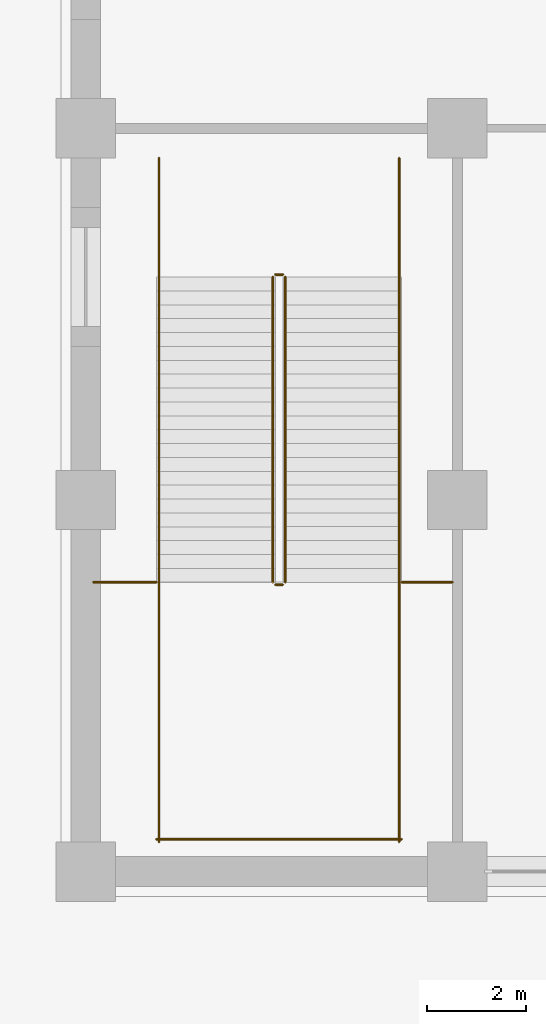
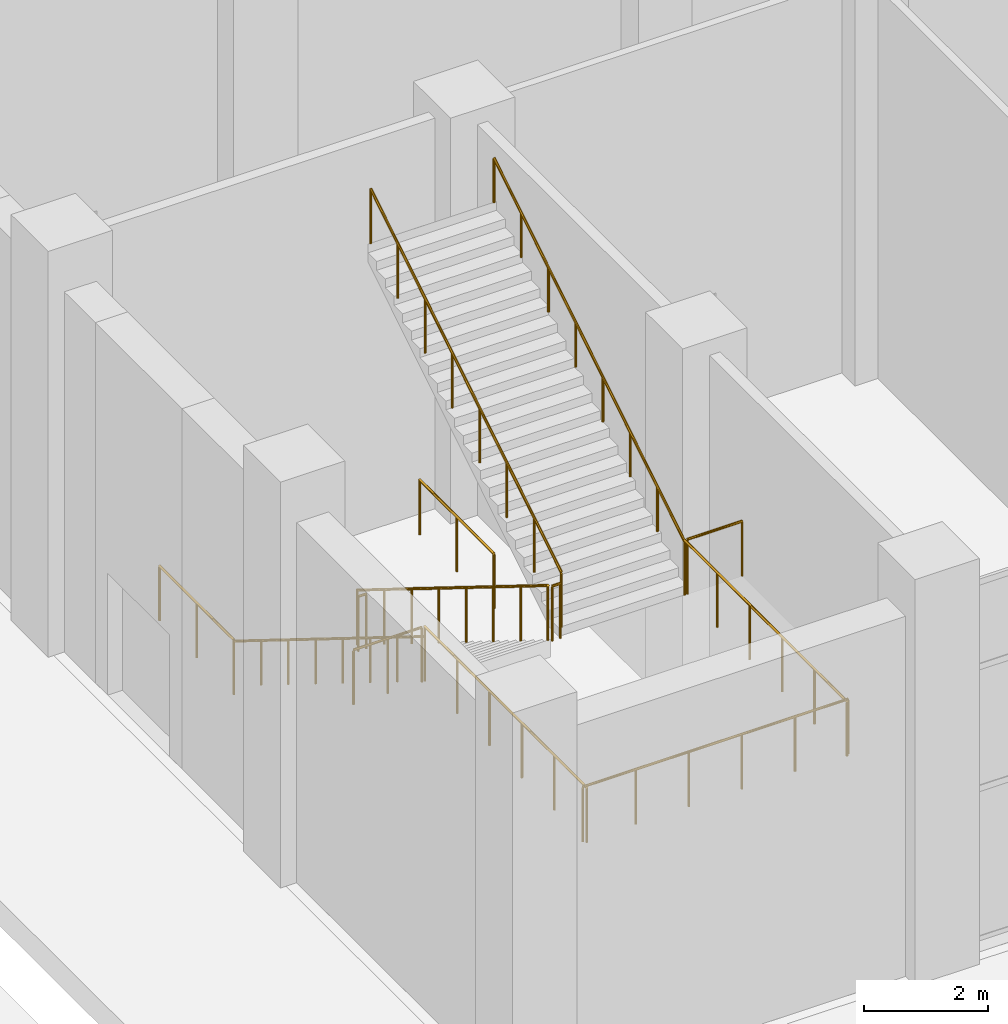
# One storey, part 40 of 57: 13 railings.
"""IFC4 building model written with IfcOpenShell, lengths in metres."""

from ifc_helpers import new_model, si_unit, direction, frame, origin, origin_2d, place, context, subcontext, project, spatial, circle, extrude, material, type_object, element, save


model = new_model("IFC4")

# Units and contexts
model_context = context("Model", 3, precision=1e-05, world=origin(), true_north=direction((0.0, 1.0)))
body_context = subcontext(model_context, "Body", "Model", "MODEL_VIEW")
ifc_project = project(units=[si_unit("LENGTHUNIT", "METRE"), si_unit("AREAUNIT", "SQUARE_METRE"), si_unit("VOLUMEUNIT", "CUBIC_METRE"), si_unit("PLANEANGLEUNIT", "RADIAN"), si_unit("MASSUNIT", "GRAM", prefix="KILO")], contexts=[model_context])

# Site, building, storey
site_placement = place(None, origin())
site = spatial("IfcSite", under=ifc_project, at=site_placement, CompositionType="ELEMENT")
building_placement = place(site_placement, origin())
building = spatial("IfcBuilding", under=site, at=building_placement, Name="Tamorin Gate", CompositionType="ELEMENT")
storey_placement = place(building_placement, origin())
storey = spatial("IfcBuildingStorey", under=building, at=storey_placement, Name="L00", CompositionType="ELEMENT", Elevation=0.0)

# Railings
ifc_material = material(Name="Steel", Category="steel")
railing_type_1 = type_object("IfcRailingType", Name="Podium guard 1100", PredefinedType="GUARDRAIL", material=ifc_material)
railing_1_placement = place(storey_placement, frame((19.27490234375, 42.5, 0.173828125)))
element("IfcRailing", 1, at=railing_1_placement, inside=storey, type_object=railing_type_1, Name="L00 PS1 stair guard 1", PredefinedType="GUARDRAIL", context=body_context, shape_type="SweptSolid", body=[
    extrude(circle(Radius=0.02392578125, at=origin_2d()), frame((0.0, 0.0, 1.076171875), z_axis=(0.0, -0.849468459523, 0.527639399851), x_axis=(1.0, 0.0, 0.0)), (0.0, 0.0, 1.0), 7.25146484375),
    extrude(circle(Radius=0.02099609375, at=origin_2d()), origin(), (0.0, 0.0, 1.0), 1.052001953125),
    extrude(circle(Radius=0.02099609375, at=origin_2d()), frame((0.0, -0.8798828125, 0.546630859375)), (0.0, 0.0, 1.0), 1.052001953125),
    extrude(circle(Radius=0.02099609375, at=origin_2d()), frame((0.0, -1.760009765625, 1.09326171875)), (0.0, 0.0, 1.0), 1.052001953125),
    extrude(circle(Radius=0.02099609375, at=origin_2d()), frame((0.0, -2.639892578125, 1.639892578125)), (0.0, 0.0, 1.0), 1.052001953125),
    extrude(circle(Radius=0.02099609375, at=origin_2d()), frame((0.0, -3.52001953125, 2.186279296875)), (0.0, 0.0, 1.0), 1.052001953125),
    extrude(circle(Radius=0.02099609375, at=origin_2d()), frame((0.0, -4.39990234375, 2.73291015625)), (0.0, 0.0, 1.0), 1.052001953125),
    extrude(circle(Radius=0.02099609375, at=origin_2d()), frame((0.0, -5.280029296875, 3.279541015625)), (0.0, 0.0, 1.0), 1.052001953125),
    extrude(circle(Radius=0.02099609375, at=origin_2d()), frame((0.0, -6.159912109375, 3.826171875)), (0.0, 0.0, 1.0), 1.052001953125),
])
railing_2_placement = place(storey_placement, frame((19.324951171875, 36.2900390625, 4.0)))
element("IfcRailing", 2, at=railing_2_placement, inside=storey, type_object=railing_type_1, Name="L00 PS1 stair guard 2", PredefinedType="GUARDRAIL", context=body_context, shape_type="SweptSolid", body=[
    extrude(circle(Radius=0.02392578125, at=origin_2d()), frame((0.0, 0.0, 1.076171875), z_axis=(1.0, 0.0, 0.0), x_axis=(0.0, 1.0, 0.0)), (0.0, 0.0, 1.0), 0.150146484375),
    extrude(circle(Radius=0.02099609375, at=origin_2d()), origin(), (0.0, 0.0, 1.0), 1.052001953125),
    extrude(circle(Radius=0.02099609375, at=origin_2d()), frame((0.150146484375, 0.0, 0.0)), (0.0, 0.0, 1.0), 1.052001953125),
])
for number, where, name in (
    (3, (16.97509765625, 36.340087890625, 4.0), "L00 PS1 stair guard 3"),
    (4, (21.824951171875, 36.340087890625, 4.0), "L00 PS1 stair guard 4"),
):
    element("IfcRailing", number, at=place(storey_placement, frame(where)), inside=storey, type_object=railing_type_1, Name=name, PredefinedType="GUARDRAIL", context=body_context, shape_type="SweptSolid", body=[
        extrude(circle(Radius=0.02392578125, at=origin_2d()), frame((0.0, 0.0, 1.076171875), z_axis=(0.0, -1.0, 0.0), x_axis=(1.0, 0.0, 0.0)), (0.0, 0.0, 1.0), 5.239990234375),
        extrude(circle(Radius=0.02099609375, at=origin_2d()), origin(), (0.0, 0.0, 1.0), 1.052001953125),
        extrude(circle(Radius=0.02099609375, at=origin_2d()), frame((0.0, -1.048095703125, 0.0)), (0.0, 0.0, 1.0), 1.052001953125),
        extrude(circle(Radius=0.02099609375, at=origin_2d()), frame((0.0, -2.095947265625, 0.0)), (0.0, 0.0, 1.0), 1.052001953125),
        extrude(circle(Radius=0.02099609375, at=origin_2d()), frame((0.0, -3.14404296875, 0.0)), (0.0, 0.0, 1.0), 1.052001953125),
        extrude(circle(Radius=0.02099609375, at=origin_2d()), frame((0.0, -4.19189453125, 0.0)), (0.0, 0.0, 1.0), 1.052001953125),
        extrude(circle(Radius=0.02099609375, at=origin_2d()), frame((0.0, -5.239990234375, 0.0)), (0.0, 0.0, 1.0), 1.052001953125),
    ])
railing_3_placement = place(storey_placement, frame((16.925048828125, 31.14990234375, 4.0)))
element("IfcRailing", 5, at=railing_3_placement, inside=storey, type_object=railing_type_1, Name="L00 PS1 stair guard 5", PredefinedType="GUARDRAIL", context=body_context, shape_type="SweptSolid", body=[
    extrude(circle(Radius=0.02392578125, at=origin_2d()), frame((0.0, 0.0, 1.076171875), z_axis=(1.0, 0.0, 0.0), x_axis=(0.0, 1.0, 0.0)), (0.0, 0.0, 1.0), 4.949951171875),
    extrude(circle(Radius=0.02099609375, at=origin_2d()), origin(), (0.0, 0.0, 1.0), 1.052001953125),
    extrude(circle(Radius=0.02099609375, at=origin_2d()), frame((0.989990234375, 0.0, 0.0)), (0.0, 0.0, 1.0), 1.052001953125),
    extrude(circle(Radius=0.02099609375, at=origin_2d()), frame((1.97998046875, 0.0, 0.0)), (0.0, 0.0, 1.0), 1.052001953125),
    extrude(circle(Radius=0.02099609375, at=origin_2d()), frame((2.969970703125, 0.0, 0.0)), (0.0, 0.0, 1.0), 1.052001953125),
    extrude(circle(Radius=0.02099609375, at=origin_2d()), frame((3.9599609375, 0.0, 0.0)), (0.0, 0.0, 1.0), 1.052001953125),
    extrude(circle(Radius=0.02099609375, at=origin_2d()), frame((4.949951171875, 0.0, 0.0)), (0.0, 0.0, 1.0), 1.052001953125),
])
railing_4_placement = place(storey_placement, frame((19.52490234375, 36.340087890625, 4.173828125)))
element("IfcRailing", 6, at=railing_4_placement, inside=storey, type_object=railing_type_1, Name="L00 PS1 stair guard 6", PredefinedType="GUARDRAIL", context=body_context, shape_type="SweptSolid", body=[
    extrude(circle(Radius=0.02392578125, at=origin_2d()), frame((0.0, 0.0, 1.076171875), z_axis=(0.0, 0.849468459523, 0.527639399851), x_axis=(-1.0, 0.0, 0.0)), (0.0, 0.0, 1.0), 7.25146484375),
    extrude(circle(Radius=0.02099609375, at=origin_2d()), origin(), (0.0, 0.0, 1.0), 1.052001953125),
    extrude(circle(Radius=0.02099609375, at=origin_2d()), frame((0.0, 0.8798828125, 0.546630859375)), (0.0, 0.0, 1.0), 1.052001953125),
    extrude(circle(Radius=0.02099609375, at=origin_2d()), frame((0.0, 1.760009765625, 1.09326171875)), (0.0, 0.0, 1.0), 1.052001953125),
    extrude(circle(Radius=0.02099609375, at=origin_2d()), frame((0.0, 2.639892578125, 1.639892578125)), (0.0, 0.0, 1.0), 1.052001953125),
    extrude(circle(Radius=0.02099609375, at=origin_2d()), frame((0.0, 3.52001953125, 2.186279296875)), (0.0, 0.0, 1.0), 1.052001953125),
    extrude(circle(Radius=0.02099609375, at=origin_2d()), frame((0.0, 4.39990234375, 2.73291015625)), (0.0, 0.0, 1.0), 1.052001953125),
    extrude(circle(Radius=0.02099609375, at=origin_2d()), frame((0.0, 5.280029296875, 3.279541015625)), (0.0, 0.0, 1.0), 1.052001953125),
    extrude(circle(Radius=0.02099609375, at=origin_2d()), frame((0.0, 6.159912109375, 3.826171875)), (0.0, 0.0, 1.0), 1.052001953125),
])
railing_5_placement = place(storey_placement, frame((19.324951171875, 42.550048828125, 0.0)))
element("IfcRailing", 7, at=railing_5_placement, inside=storey, type_object=railing_type_1, Name="L00 PS1 stair guard 7", PredefinedType="GUARDRAIL", context=body_context, shape_type="SweptSolid", body=[
    extrude(circle(Radius=0.02392578125, at=origin_2d()), frame((0.0, 0.0, 1.076171875), z_axis=(1.0, 0.0, 0.0), x_axis=(0.0, 1.0, 0.0)), (0.0, 0.0, 1.0), 0.150146484375),
    extrude(circle(Radius=0.02099609375, at=origin_2d()), origin(), (0.0, 0.0, 1.0), 1.052001953125),
    extrude(circle(Radius=0.02099609375, at=origin_2d()), frame((0.150146484375, 0.0, 0.0)), (0.0, 0.0, 1.0), 1.052001953125),
])
for number, where, name in (
    (8, (16.97509765625, 44.89990234375, 0.0), "L00 PS1 stair guard 8"),
    (9, (21.824951171875, 44.89990234375, 0.0), "L00 PS1 stair guard 9"),
):
    element("IfcRailing", number, at=place(storey_placement, frame(where)), inside=storey, type_object=railing_type_1, Name=name, PredefinedType="GUARDRAIL", context=body_context, shape_type="SweptSolid", body=[
        extrude(circle(Radius=0.02392578125, at=origin_2d()), frame((0.0, 0.0, 1.076171875), z_axis=(0.0, -1.0, 0.0), x_axis=(1.0, 0.0, 0.0)), (0.0, 0.0, 1.0), 2.39990234375),
        extrude(circle(Radius=0.02099609375, at=origin_2d()), origin(), (0.0, 0.0, 1.0), 1.052001953125),
        extrude(circle(Radius=0.02099609375, at=origin_2d()), frame((0.0, -1.199951171875, 0.0)), (0.0, 0.0, 1.0), 1.052001953125),
        extrude(circle(Radius=0.02099609375, at=origin_2d()), frame((0.0, -2.39990234375, 0.0)), (0.0, 0.0, 1.0), 1.052001953125),
    ])
railing_6_placement = place(storey_placement, frame((15.64990234375, 36.340087890625, 4.0)))
element("IfcRailing", 10, at=railing_6_placement, inside=storey, type_object=railing_type_1, Name="Landing edge guard", PredefinedType="GUARDRAIL", context=body_context, shape_type="SweptSolid", body=[
    extrude(circle(Radius=0.02392578125, at=origin_2d()), frame((0.0, 0.0, 1.076171875), z_axis=(1.0, 0.0, 0.0), x_axis=(0.0, 1.0, 0.0)), (0.0, 0.0, 1.0), 1.275146484375),
    extrude(circle(Radius=0.02099609375, at=origin_2d()), origin(), (0.0, 0.0, 1.0), 1.052001953125),
    extrude(circle(Radius=0.02099609375, at=origin_2d()), frame((0.6376953125, 0.0, 0.0)), (0.0, 0.0, 1.0), 1.052001953125),
    extrude(circle(Radius=0.02099609375, at=origin_2d()), frame((1.275146484375, 0.0, 0.0)), (0.0, 0.0, 1.0), 1.052001953125),
])
railing_7_placement = place(storey_placement, frame((21.875, 36.340087890625, 4.0)))
element("IfcRailing", 11, at=railing_7_placement, inside=storey, type_object=railing_type_1, Name="Landing edge guard", PredefinedType="GUARDRAIL", context=body_context, shape_type="SweptSolid", body=[
    extrude(circle(Radius=0.02392578125, at=origin_2d()), frame((0.0, 0.0, 1.076171875), z_axis=(1.0, 0.0, 0.0), x_axis=(0.0, 1.0, 0.0)), (0.0, 0.0, 1.0), 1.02490234375),
    extrude(circle(Radius=0.02099609375, at=origin_2d()), origin(), (0.0, 0.0, 1.0), 1.052001953125),
    extrude(circle(Radius=0.02099609375, at=origin_2d()), frame((1.02490234375, 0.0, 0.0)), (0.0, 0.0, 1.0), 1.052001953125),
])
railing_type_2 = type_object("IfcRailingType", Name="Podium stair handrail 900", PredefinedType="HANDRAIL", material=ifc_material)
railing_8_placement = place(storey_placement, frame((16.97509765625, 42.5, 0.173828125)))
element("IfcRailing", 12, at=railing_8_placement, inside=storey, type_object=railing_type_2, Name="L00 PS1 stair handrail 1", PredefinedType="HANDRAIL", context=body_context, shape_type="SweptSolid", body=[
    extrude(circle(Radius=0.02392578125, at=origin_2d()), frame((0.0, 0.0, 0.8759765625), z_axis=(0.0, -0.849468459523, 0.527639399851), x_axis=(1.0, 0.0, 0.0)), (0.0, 0.0, 1.0), 7.25146484375),
    extrude(circle(Radius=0.02099609375, at=origin_2d()), origin(), (0.0, 0.0, 1.0), 0.851806640625),
    extrude(circle(Radius=0.02099609375, at=origin_2d()), frame((0.0, -0.8798828125, 0.546630859375)), (0.0, 0.0, 1.0), 0.851806640625),
    extrude(circle(Radius=0.02099609375, at=origin_2d()), frame((0.0, -1.760009765625, 1.09326171875)), (0.0, 0.0, 1.0), 0.851806640625),
    extrude(circle(Radius=0.02099609375, at=origin_2d()), frame((0.0, -2.639892578125, 1.639892578125)), (0.0, 0.0, 1.0), 0.851806640625),
    extrude(circle(Radius=0.02099609375, at=origin_2d()), frame((0.0, -3.52001953125, 2.186279296875)), (0.0, 0.0, 1.0), 0.851806640625),
    extrude(circle(Radius=0.02099609375, at=origin_2d()), frame((0.0, -4.39990234375, 2.73291015625)), (0.0, 0.0, 1.0), 0.851806640625),
    extrude(circle(Radius=0.02099609375, at=origin_2d()), frame((0.0, -5.280029296875, 3.279541015625)), (0.0, 0.0, 1.0), 0.851806640625),
    extrude(circle(Radius=0.02099609375, at=origin_2d()), frame((0.0, -6.159912109375, 3.826171875)), (0.0, 0.0, 1.0), 0.851806640625),
])
railing_9_placement = place(storey_placement, frame((21.824951171875, 36.340087890625, 4.173828125)))
element("IfcRailing", 13, at=railing_9_placement, inside=storey, type_object=railing_type_2, Name="L00 PS1 stair handrail 2", PredefinedType="HANDRAIL", context=body_context, shape_type="SweptSolid", body=[
    extrude(circle(Radius=0.02392578125, at=origin_2d()), frame((0.0, 0.0, 0.8759765625), z_axis=(0.0, 0.849468459523, 0.527639399851), x_axis=(-1.0, 0.0, 0.0)), (0.0, 0.0, 1.0), 7.25146484375),
    extrude(circle(Radius=0.02099609375, at=origin_2d()), origin(), (0.0, 0.0, 1.0), 0.851806640625),
    extrude(circle(Radius=0.02099609375, at=origin_2d()), frame((0.0, 0.8798828125, 0.546630859375)), (0.0, 0.0, 1.0), 0.851806640625),
    extrude(circle(Radius=0.02099609375, at=origin_2d()), frame((0.0, 1.760009765625, 1.09326171875)), (0.0, 0.0, 1.0), 0.851806640625),
    extrude(circle(Radius=0.02099609375, at=origin_2d()), frame((0.0, 2.639892578125, 1.639892578125)), (0.0, 0.0, 1.0), 0.851806640625),
    extrude(circle(Radius=0.02099609375, at=origin_2d()), frame((0.0, 3.52001953125, 2.186279296875)), (0.0, 0.0, 1.0), 0.851806640625),
    extrude(circle(Radius=0.02099609375, at=origin_2d()), frame((0.0, 4.39990234375, 2.73291015625)), (0.0, 0.0, 1.0), 0.851806640625),
    extrude(circle(Radius=0.02099609375, at=origin_2d()), frame((0.0, 5.280029296875, 3.279541015625)), (0.0, 0.0, 1.0), 0.851806640625),
    extrude(circle(Radius=0.02099609375, at=origin_2d()), frame((0.0, 6.159912109375, 3.826171875)), (0.0, 0.0, 1.0), 0.851806640625),
])

save(model, "model.ifc")
